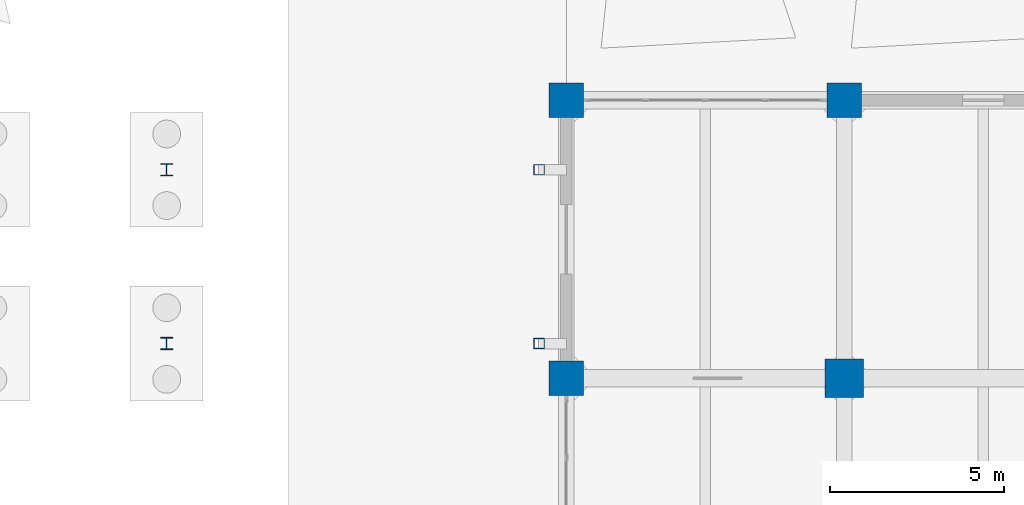
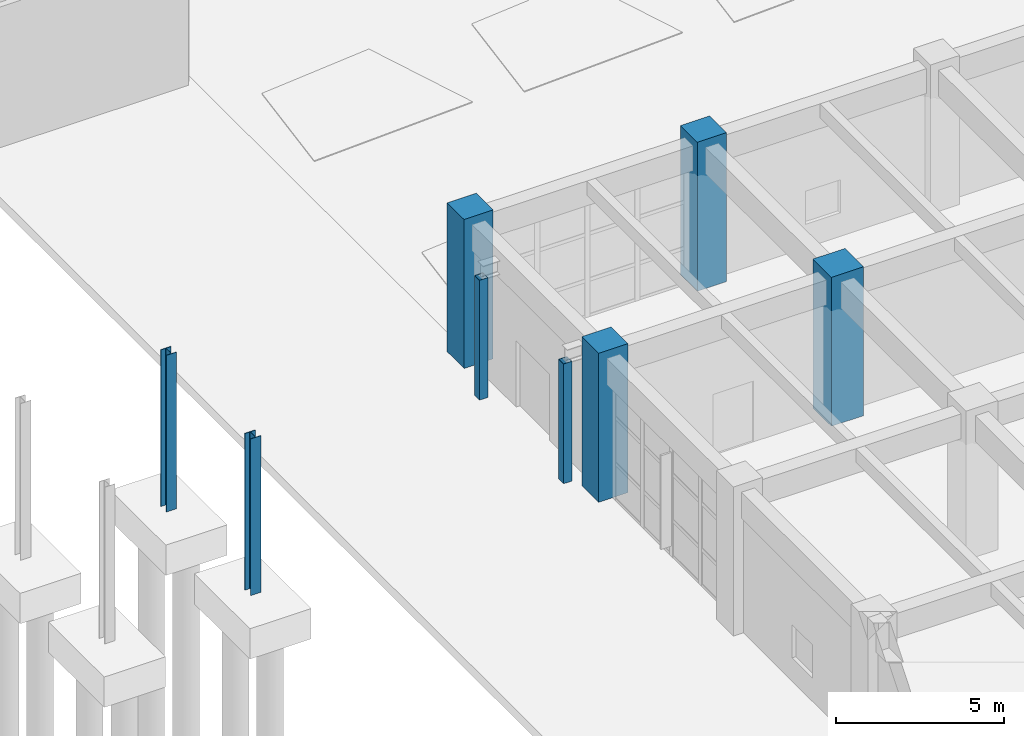
# One storey, part 15 of 90: 8 columns.
"""IFC4 building model written with IfcOpenShell, lengths in metres."""

from ifc_helpers import new_model, si_unit, direction, frame, origin, origin_2d, place, context, subcontext, project, spatial, rectangle, hollow_rectangle, i_section, extrude, material, material_profile, profile_set, type_object, element, save


model = new_model("IFC4")

# Units and contexts
model_context = context("Model", 3, precision=1e-05, world=origin(), true_north=direction((0.0, 1.0)))
body_context = subcontext(model_context, "Body", "Model", "MODEL_VIEW")
ifc_project = project(units=[si_unit("LENGTHUNIT", "METRE"), si_unit("AREAUNIT", "SQUARE_METRE"), si_unit("VOLUMEUNIT", "CUBIC_METRE"), si_unit("PLANEANGLEUNIT", "RADIAN"), si_unit("MASSUNIT", "GRAM", prefix="KILO")], contexts=[model_context])

# Site, building, storey
site_placement = place(None, origin())
site = spatial("IfcSite", under=ifc_project, at=site_placement, CompositionType="ELEMENT")
building_placement = place(site_placement, origin())
building = spatial("IfcBuilding", under=site, at=building_placement, Name="Canggui Botanical Conservatory", CompositionType="ELEMENT")
storey_placement = place(building_placement, origin())
storey = spatial("IfcBuildingStorey", under=building, at=storey_placement, Name="L01", CompositionType="ELEMENT", Elevation=0.0)

# Columns
ifc_material_1 = material(Name="Steel Q355C", Category="steel")
ifc_material_profile_1 = material_profile(ifc_material_1, hollow_rectangle(XDim=0.300048828125, YDim=0.300048828125, WallThickness=0.010009765625, at=origin_2d()), Name="SHS 300x300x10")
ifc_profile_set_1 = profile_set([ifc_material_profile_1], Name="Steel Q355C")
column_type_1 = type_object("IfcColumnType", Name="COL-GZ02", PredefinedType="COLUMN", material=ifc_profile_set_1)
for number, where, z_axis, x_axis, name in (
    (1, (129.219970703125, 75.0, 0.0), (0.0, 0.0, 1.0), (1.0, 0.0, 0.0), "SB-04 Corbel Support Pier L01-1"),
    (2, (129.219970703125, 80.0, 0.0), (0.0, 0.0, 1.0), (1.0, 0.0, 0.0), "SB-04 Corbel Support Pier L01-2"),
):
    element("IfcColumn", number, at=place(storey_placement, frame(where, z_axis=z_axis, x_axis=x_axis)), inside=storey, type_object=column_type_1, Name=name, PredefinedType="COLUMN", context=body_context, shape_type="SweptSolid", body=[
        extrude(hollow_rectangle(XDim=0.300048828125, YDim=0.300048828125, WallThickness=0.010009765625, at=origin_2d()), origin(), (0.0, 0.0, 1.0), 4.340087890625),
    ])
ifc_material_2 = material(Name="Steel Q355B", Category="steel")
ifc_material_profile_2 = material_profile(ifc_material_2, i_section(OverallWidth=0.35009765625, OverallDepth=0.35009765625, WebThickness=0.011962890625, FlangeThickness=0.01904296875, FilletRadius=0.02001953125, at=origin_2d()), Name="HW 350x350x12x19")
ifc_profile_set_2 = profile_set([ifc_material_profile_2], Name="Steel Q355B")
column_type_2 = type_object("IfcColumnType", Name="COL-GZ04", PredefinedType="COLUMN", material=ifc_profile_set_2)
for number, where, z_axis, x_axis, name in (
    (3, (118.5, 75.0, -0.280029296875), (0.0, 0.0, 1.0), (1.0, 0.0, 0.0), "Skybridge Portal Steel Column (118.5,75)"),
    (4, (118.5, 80.0, -0.280029296875), (0.0, 0.0, 1.0), (1.0, 0.0, 0.0), "Skybridge Portal Steel Column (118.5,80)"),
):
    element("IfcColumn", number, at=place(storey_placement, frame(where, z_axis=z_axis, x_axis=x_axis)), inside=storey, type_object=column_type_2, Name=name, PredefinedType="COLUMN", context=body_context, shape_type="SweptSolid", body=[
        extrude(i_section(OverallWidth=0.35009765625, OverallDepth=0.35009765625, WebThickness=0.011962890625, FlangeThickness=0.01904296875, FilletRadius=0.02001953125, at=origin_2d()), origin(), (0.0, 0.0, 1.0), 5.679931640625),
    ])
ifc_material_3 = material(Name="Concrete C50", Category="concrete")
ifc_material_profile_3 = material_profile(ifc_material_3, rectangle(XDim=1.10009765625, YDim=1.10009765625, at=origin_2d()), Name="RC 1100x1100")
ifc_profile_set_3 = profile_set([ifc_material_profile_3], Name="Concrete C50")
column_type_3 = type_object("IfcColumnType", Name="COL-KZ01", PredefinedType="COLUMN", material=ifc_profile_set_3)
column_placement = place(storey_placement, frame((138.0, 74.0, 0.0), z_axis=(0.0, 0.0, 1.0), x_axis=(1.0, 0.0, 0.0)))
element("IfcColumn", 5, at=column_placement, inside=storey, type_object=column_type_3, Name="Tower RC Column L01 (138,74)", PredefinedType="COLUMN", context=body_context, shape_type="SweptSolid", body=[
    extrude(rectangle(XDim=1.10009765625, YDim=1.10009765625, at=origin_2d()), origin(), (0.0, 0.0, 1.0), 5.39990234375),
])
ifc_material_profile_4 = material_profile(ifc_material_3, rectangle(XDim=1.0, YDim=1.0, at=origin_2d()), Name="RC 1000x1000")
ifc_profile_set_4 = profile_set([ifc_material_profile_4], Name="Concrete C50")
column_type_4 = type_object("IfcColumnType", Name="COL-KZ03", PredefinedType="COLUMN", material=ifc_profile_set_4)
for number, where, z_axis, x_axis, name in (
    (6, (130.0, 74.0, 0.0), (0.0, 0.0, 1.0), (1.0, 0.0, 0.0), "Tower RC Column L01 (130,74)"),
    (7, (130.0, 82.0, 0.0), (0.0, 0.0, 1.0), (1.0, 0.0, 0.0), "Tower RC Column L01 (130,82)"),
    (8, (138.0, 82.0, 0.0), (0.0, 0.0, 1.0), (1.0, 0.0, 0.0), "Tower RC Column L01 (138,82)"),
):
    element("IfcColumn", number, at=place(storey_placement, frame(where, z_axis=z_axis, x_axis=x_axis)), inside=storey, type_object=column_type_4, Name=name, PredefinedType="COLUMN", context=body_context, shape_type="SweptSolid", body=[
        extrude(rectangle(XDim=1.0, YDim=1.0, at=origin_2d()), origin(), (0.0, 0.0, 1.0), 5.39990234375),
    ])

save(model, "model.ifc")
